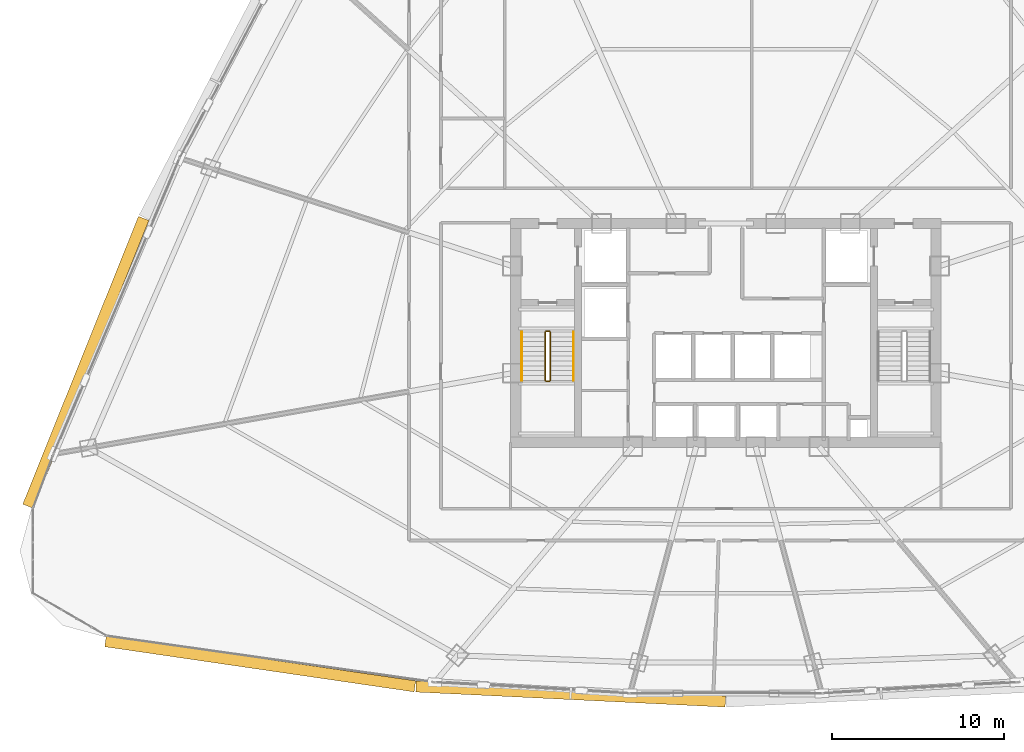
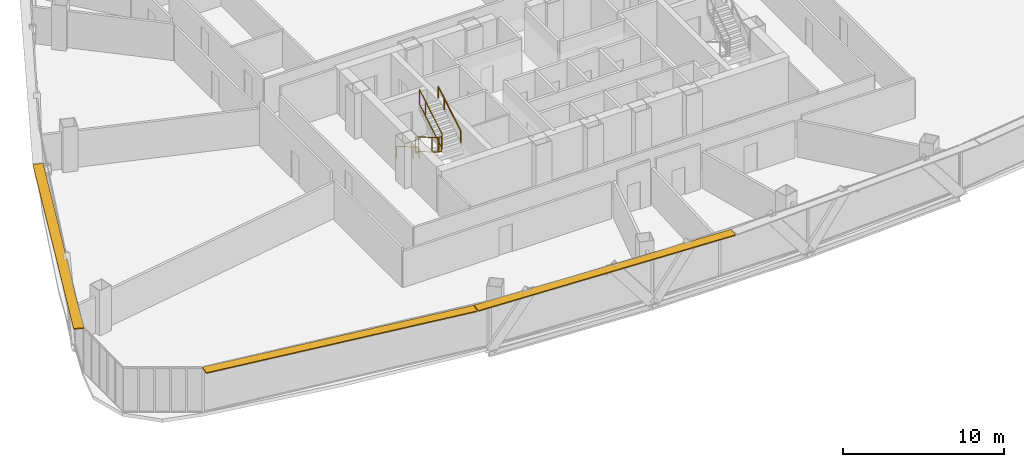
# One storey, part 39 of 42: 6 railings, 3 shading devices.
"""IFC4 building model written with IfcOpenShell, lengths in metres."""

from ifc_helpers import new_model, si_unit, direction, frame, origin, origin_2d, place, context, subcontext, project, spatial, rectangle, extrude, source, transform, mapped, material, layer, layer_set, type_object, element, save


model = new_model("IFC4")

# Units and contexts
model_context = context("Model", 3, precision=1e-05, world=origin(), true_north=direction((0.0, 1.0)))
body_context = subcontext(model_context, "Body", "Model", "MODEL_VIEW")
ifc_project = project(units=[si_unit("LENGTHUNIT", "METRE"), si_unit("AREAUNIT", "SQUARE_METRE"), si_unit("VOLUMEUNIT", "CUBIC_METRE"), si_unit("PLANEANGLEUNIT", "RADIAN"), si_unit("MASSUNIT", "GRAM", prefix="KILO"), si_unit("THERMODYNAMICTEMPERATUREUNIT", "KELVIN"), si_unit("POWERUNIT", "WATT")], contexts=[model_context])

# Site, building, storey
site_placement = place(None, origin())
site = spatial("IfcSite", under=ifc_project, at=site_placement, CompositionType="ELEMENT")
building_placement = place(site_placement, origin())
building = spatial("IfcBuilding", under=site, at=building_placement, Name="Yunzhuo Pagoda Commons", CompositionType="ELEMENT")
storey_placement = place(building_placement, frame((0.0, 0.0, 129.830078125)))
storey = spatial("IfcBuildingStorey", under=building, at=storey_placement, Name="L32", CompositionType="ELEMENT", Elevation=129.830078125)

# Railings
ifc_material = material(Name="Anodized aluminium 6063-T6", Category="aluminium")
railing_type_1 = type_object("IfcRailingType", Name="GR-ST1 Stair Well Guardrail 1150", PredefinedType="GUARDRAIL", material=ifc_material)
railing_1_placement = place(storey_placement, frame((37.5, 33.89990234375, 0.167236328125)))
element("IfcRailing", 1, at=railing_1_placement, inside=storey, type_object=railing_type_1, Name="L32 ST1 stair guard 1", PredefinedType="GUARDRAIL", context=body_context, shape_type="SweptSolid", body=[
    extrude(rectangle(XDim=0.048095703125, YDim=0.048095703125, at=origin_2d()), frame((0.0, 0.0, 1.1259765625), z_axis=(0.0, -0.858475523978, 0.512854535645), x_axis=(1.0, 0.0, 0.0)), (0.0, 0.0, 1.0), 3.261474609375),
    extrude(rectangle(XDim=0.048095703125, YDim=0.048095703125, at=origin_2d()), frame((0.0, 0.0, 0.02392578125), z_axis=(0.0, -0.858475523978, 0.512854535645), x_axis=(1.0, 0.0, 0.0)), (0.0, 0.0, 1.0), 3.261474609375),
    extrude(rectangle(XDim=0.0419921875, YDim=0.0419921875, at=origin_2d()), origin(), (0.0, 0.0, 1.0), 1.101806640625),
    extrude(rectangle(XDim=0.0419921875, YDim=0.0419921875, at=origin_2d()), frame((0.0, -2.060302734375, 1.23095703125)), (0.0, 0.0, 1.0), 1.101806640625),
    extrude(rectangle(XDim=0.0419921875, YDim=0.0419921875, at=origin_2d()), frame((0.0, -2.7998046875, 1.672607421875)), (0.0, 0.0, 1.0), 1.101806640625),
])
railing_2_placement = place(storey_placement, frame((37.550048828125, 31.050048828125, 1.83984375)))
element("IfcRailing", 2, at=railing_2_placement, inside=storey, type_object=railing_type_1, Name="L32 ST1 stair guard 2", PredefinedType="GUARDRAIL", context=body_context, shape_type="SweptSolid", body=[
    extrude(rectangle(XDim=0.048095703125, YDim=0.048095703125, at=origin_2d()), frame((0.0, 0.0, 1.1259765625), z_axis=(1.0, 0.0, 0.0), x_axis=(0.0, 1.0, 0.0)), (0.0, 0.0, 1.0), 0.199951171875),
    extrude(rectangle(XDim=0.048095703125, YDim=0.048095703125, at=origin_2d()), frame((0.0, 0.0, 0.02392578125), z_axis=(1.0, 0.0, 0.0), x_axis=(0.0, 1.0, 0.0)), (0.0, 0.0, 1.0), 0.199951171875),
    extrude(rectangle(XDim=0.0419921875, YDim=0.0419921875, at=origin_2d()), origin(), (0.0, 0.0, 1.0), 1.101806640625),
    extrude(rectangle(XDim=0.0419921875, YDim=0.0419921875, at=origin_2d()), frame((0.199951171875, 0.0, 0.0)), (0.0, 0.0, 1.0), 1.101806640625),
])
railing_3_placement = place(storey_placement, frame((37.800048828125, 31.10009765625, 2.007080078125)))
element("IfcRailing", 3, at=railing_3_placement, inside=storey, type_object=railing_type_1, Name="L32 ST1 stair guard 3", PredefinedType="GUARDRAIL", context=body_context, shape_type="SweptSolid", body=[
    extrude(rectangle(XDim=0.048095703125, YDim=0.048095703125, at=origin_2d()), frame((0.0, 0.0, 1.1259765625), z_axis=(0.0, 0.858442565357, 0.512909701589), x_axis=(-1.0, 0.0, 0.0)), (0.0, 0.0, 1.0), 3.261474609375),
    extrude(rectangle(XDim=0.048095703125, YDim=0.048095703125, at=origin_2d()), frame((0.0, 0.0, 0.02392578125), z_axis=(0.0, 0.858442565357, 0.512909701589), x_axis=(-1.0, 0.0, 0.0)), (0.0, 0.0, 1.0), 3.261474609375),
    extrude(rectangle(XDim=0.0419921875, YDim=0.0419921875, at=origin_2d()), origin(), (0.0, 0.0, 1.0), 1.101806640625),
    extrude(rectangle(XDim=0.0419921875, YDim=0.0419921875, at=origin_2d()), frame((0.0, 2.060302734375, 1.23095703125)), (0.0, 0.0, 1.0), 1.101806640625),
    extrude(rectangle(XDim=0.0419921875, YDim=0.0419921875, at=origin_2d()), frame((0.0, 2.7998046875, 1.6728515625)), (0.0, 0.0, 1.0), 1.101806640625),
])
railing_4_placement = place(storey_placement, frame((37.550048828125, 33.949951171875, 0.0)))
element("IfcRailing", 4, at=railing_4_placement, inside=storey, type_object=railing_type_1, Name="L32 ST1 stair guard 4", PredefinedType="GUARDRAIL", context=body_context, shape_type="SweptSolid", body=[
    extrude(rectangle(XDim=0.048095703125, YDim=0.048095703125, at=origin_2d()), frame((0.0, 0.0, 1.1259765625), z_axis=(1.0, 0.0, 0.0), x_axis=(0.0, 1.0, 0.0)), (0.0, 0.0, 1.0), 0.199951171875),
    extrude(rectangle(XDim=0.048095703125, YDim=0.048095703125, at=origin_2d()), frame((0.0, 0.0, 0.02392578125), z_axis=(1.0, 0.0, 0.0), x_axis=(0.0, 1.0, 0.0)), (0.0, 0.0, 1.0), 0.199951171875),
    extrude(rectangle(XDim=0.0419921875, YDim=0.0419921875, at=origin_2d()), origin(), (0.0, 0.0, 1.0), 1.101806640625),
    extrude(rectangle(XDim=0.0419921875, YDim=0.0419921875, at=origin_2d()), frame((0.199951171875, 0.0, 0.0)), (0.0, 0.0, 1.0), 1.101806640625),
])
railing_type_2 = type_object("IfcRailingType", Name="HR-ST1 Stair Handrail 900", PredefinedType="HANDRAIL", material=ifc_material)
railing_5_placement = place(storey_placement, frame((36.14990234375, 33.89990234375, 0.167236328125)))
element("IfcRailing", 5, at=railing_5_placement, inside=storey, type_object=railing_type_2, Name="L32 ST1 stair handrail 1", PredefinedType="HANDRAIL", context=body_context, shape_type="SweptSolid", body=[
    extrude(rectangle(XDim=0.048095703125, YDim=0.048095703125, at=origin_2d()), frame((0.0, 0.0, 0.8759765625), z_axis=(0.0, -0.858475523978, 0.512854535645), x_axis=(1.0, 0.0, 0.0)), (0.0, 0.0, 1.0), 3.261474609375),
    extrude(rectangle(XDim=0.0419921875, YDim=0.0419921875, at=origin_2d()), origin(), (0.0, 0.0, 1.0), 0.851806640625),
    extrude(rectangle(XDim=0.0419921875, YDim=0.0419921875, at=origin_2d()), frame((0.0, -2.060302734375, 1.23095703125)), (0.0, 0.0, 1.0), 0.851806640625),
    extrude(rectangle(XDim=0.0419921875, YDim=0.0419921875, at=origin_2d()), frame((0.0, -2.7998046875, 1.672607421875)), (0.0, 0.0, 1.0), 0.851806640625),
])
railing_6_placement = place(storey_placement, frame((39.14990234375, 31.10009765625, 2.007080078125)))
element("IfcRailing", 6, at=railing_6_placement, inside=storey, type_object=railing_type_2, Name="L32 ST1 stair handrail 2", PredefinedType="HANDRAIL", context=body_context, shape_type="SweptSolid", body=[
    extrude(rectangle(XDim=0.048095703125, YDim=0.048095703125, at=origin_2d()), frame((0.0, 0.0, 0.8759765625), z_axis=(0.0, 0.858442565357, 0.512909701589), x_axis=(-1.0, 0.0, 0.0)), (0.0, 0.0, 1.0), 3.261474609375),
    extrude(rectangle(XDim=0.0419921875, YDim=0.0419921875, at=origin_2d()), origin(), (0.0, 0.0, 1.0), 0.851806640625),
    extrude(rectangle(XDim=0.0419921875, YDim=0.0419921875, at=origin_2d()), frame((0.0, 2.060302734375, 1.23095703125)), (0.0, 0.0, 1.0), 0.851806640625),
    extrude(rectangle(XDim=0.0419921875, YDim=0.0419921875, at=origin_2d()), frame((0.0, 2.7998046875, 1.6728515625)), (0.0, 0.0, 1.0), 0.851806640625),
])

# Shading devices
ifc_layer = layer(ifc_material, 0.080078125)
ifc_layer_set = layer_set([ifc_layer], Name="Anodized aluminium 6063-T6")
shading_device_type = type_object("IfcShadingDeviceType", Name="SH-SUN1 Pagoda Horizontal Sunshade Eave 650", PredefinedType="USERDEFINED", material=ifc_layer_set)
shared_shape_1 = source(origin(), body_context, "Body", "SweptSolid", [
    extrude(rectangle(XDim=18.156982421875, YDim=0.64990234375, at=origin_2d()), origin(), (0.0, 0.0, 1.0), 0.080078125),
])
shading_device_1_placement = place(storey_placement, frame((20.956298828125, 14.6376953125, 3.33984375), z_axis=(0.0, 0.0, 1.0), x_axis=(0.989510666697, -0.144459823108, 0.0)))
element("IfcShadingDevice", 7, at=shading_device_1_placement, inside=storey, type_object=shading_device_type, Name="L32 horizontal pagoda sunshade eave F1.1", ObjectType="SUNSHADE", PredefinedType="USERDEFINED", context=body_context, shape_type="MappedRepresentation", body=[
    mapped(shared_shape_1, transform((0.0, 0.0, 0.0), scale=1.0)),
])
shared_shape_2 = source(origin(), body_context, "Body", "SweptSolid", [
    extrude(rectangle(XDim=17.9873046875, YDim=0.64990234375, at=origin_2d()), origin(), (0.0, 0.0, 1.0), 0.080078125),
])
shading_device_2_placement = place(storey_placement, frame((38.9853515625, 12.88330078125, 3.33984375), z_axis=(0.0, 0.0, 1.0), x_axis=(0.998818043775, -0.04860571396, 0.0)))
element("IfcShadingDevice", 8, at=shading_device_2_placement, inside=storey, type_object=shading_device_type, Name="L32 horizontal pagoda sunshade eave F1.2", ObjectType="SUNSHADE", PredefinedType="USERDEFINED", context=body_context, shape_type="MappedRepresentation", body=[
    mapped(shared_shape_2, transform((0.0, 0.0, 0.0), scale=1.0)),
])
shared_shape_3 = source(origin(), body_context, "Body", "SweptSolid", [
    extrude(rectangle(XDim=18.010986328125, YDim=0.64990234375, at=origin_2d()), origin(), (0.0, 0.0, 1.0), 0.080078125),
])
shading_device_3_placement = place(storey_placement, frame((10.830322265625, 32.144775390625, 3.33984375), z_axis=(0.0, 0.0, 1.0), x_axis=(-0.372987782576, -0.927836253899, 0.0)))
element("IfcShadingDevice", 9, at=shading_device_3_placement, inside=storey, type_object=shading_device_type, Name="L32 horizontal pagoda sunshade eave F3.4", ObjectType="SUNSHADE", PredefinedType="USERDEFINED", context=body_context, shape_type="MappedRepresentation", body=[
    mapped(shared_shape_3, transform((0.0, 0.0, 0.0), scale=1.0)),
])

save(model, "model.ifc")
